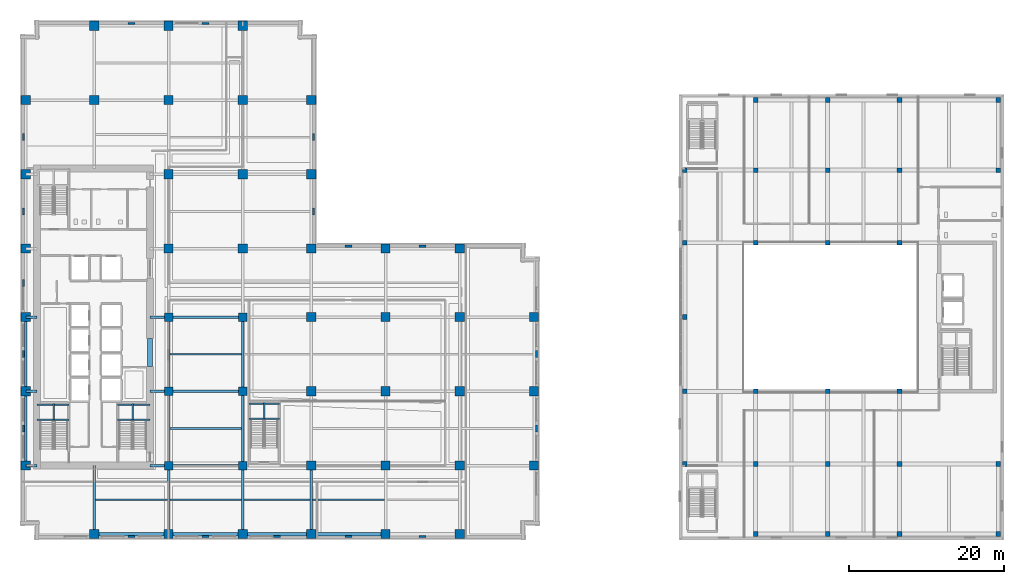
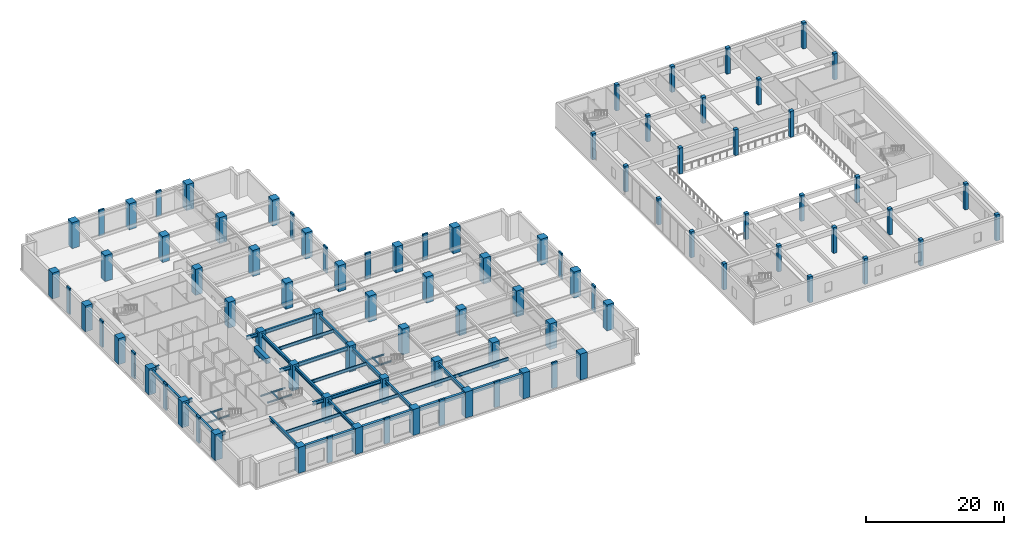
# One storey, part 1 of 24: 90 columns, 39 beams.
"""IFC4 building model written with IfcOpenShell, lengths in metres."""

from ifc_helpers import new_model, si_unit, direction, frame, origin, origin_2d, place, context, subcontext, project, spatial, rectangle, i_section, extrude, material, material_profile, profile_set, type_object, element, save


model = new_model("IFC4")

# Units and contexts
model_context = context("Model", 3, precision=1e-05, world=origin(), true_north=direction((0.0, 1.0)))
body_context = subcontext(model_context, "Body", "Model", "MODEL_VIEW")
ifc_project = project(units=[si_unit("LENGTHUNIT", "METRE"), si_unit("AREAUNIT", "SQUARE_METRE"), si_unit("VOLUMEUNIT", "CUBIC_METRE"), si_unit("PLANEANGLEUNIT", "RADIAN"), si_unit("MASSUNIT", "GRAM", prefix="KILO")], contexts=[model_context])

# Site, building, storey
site_placement = place(None, origin())
site = spatial("IfcSite", under=ifc_project, at=site_placement, CompositionType="ELEMENT")
building_placement = place(site_placement, origin())
building = spatial("IfcBuilding", under=site, at=building_placement, Name="Norrvale University Quadrangle", CompositionType="ELEMENT")
storey_placement = place(building_placement, frame((0.0, 0.0, 15.0)))
storey = spatial("IfcBuildingStorey", under=building, at=storey_placement, Name="L03", CompositionType="ELEMENT", Elevation=15.0)

# Columns
ifc_material_1 = material(Name="Buff Brick Concrete C60/75", Category="concrete")
ifc_material_profile_1 = material_profile(ifc_material_1, rectangle(XDim=0.89990234375, YDim=0.280029296875, at=origin_2d()), Name="Buff Brick Concrete C60/75")
ifc_profile_set_1 = profile_set([ifc_material_profile_1], Name="Buff Brick Concrete C60/75")
column_type_1 = type_object("IfcColumnType", Name="Column Buff Pier 900x280", PredefinedType="PILASTER", material=ifc_profile_set_1)
for number, where, z_axis, x_axis, name in (
    (1, (0.449951171875, 14.39990234375, 0.0), (0.0, 0.0, 1.0), (0.0, 1.0, 0.0), "Exterior Brick Facade Pilaster L03-01"),
    (2, (0.449951171875, 24.0, 0.0), (0.0, 0.0, 1.0), (0.0, 1.0, 0.0), "Exterior Brick Facade Pilaster L03-02"),
    (3, (0.449951171875, 33.199951171875, 0.0), (0.0, 0.0, 1.0), (0.0, 1.0, 0.0), "Exterior Brick Facade Pilaster L03-03"),
    (4, (0.449951171875, 42.449951171875, 0.0), (0.0, 0.0, 1.0), (0.0, 1.0, 0.0), "Exterior Brick Facade Pilaster L03-04"),
    (5, (0.449951171875, 52.050048828125, 0.0), (0.0, 0.0, 1.0), (0.0, 1.0, 0.0), "Exterior Brick Facade Pilaster L03-05"),
    (6, (14.39990234375, 0.449951171875, 0.0), (0.0, 0.0, 1.0), (1.0, 0.0, 0.0), "Exterior Brick Facade Pilaster L03-06"),
    (7, (24.0, 0.449951171875, 0.0), (0.0, 0.0, 1.0), (1.0, 0.0, 0.0), "Exterior Brick Facade Pilaster L03-07"),
    (8, (33.199951171875, 0.449951171875, 0.0), (0.0, 0.0, 1.0), (1.0, 0.0, 0.0), "Exterior Brick Facade Pilaster L03-08"),
    (9, (42.449951171875, 0.449951171875, 0.0), (0.0, 0.0, 1.0), (1.0, 0.0, 0.0), "Exterior Brick Facade Pilaster L03-09"),
    (10, (52.050048828125, 0.449951171875, 0.0), (0.0, 0.0, 1.0), (1.0, 0.0, 0.0), "Exterior Brick Facade Pilaster L03-10"),
    (11, (66.75, 14.39990234375, 0.0), (0.0, 0.0, 1.0), (0.0, 1.0, 0.0), "Exterior Brick Facade Pilaster L03-11"),
    (12, (66.75, 24.0, 0.0), (0.0, 0.0, 1.0), (0.0, 1.0, 0.0), "Exterior Brick Facade Pilaster L03-12"),
    (13, (14.39990234375, 66.75, 0.0), (0.0, 0.0, 1.0), (1.0, 0.0, 0.0), "Exterior Brick Facade Pilaster L03-13"),
    (14, (24.0, 66.75, 0.0), (0.0, 0.0, 1.0), (1.0, 0.0, 0.0), "Exterior Brick Facade Pilaster L03-14"),
    (15, (37.949951171875, 42.449951171875, 0.0), (0.0, 0.0, 1.0), (0.0, 1.0, 0.0), "Exterior Brick Facade Pilaster L03-15"),
    (16, (37.949951171875, 52.050048828125, 0.0), (0.0, 0.0, 1.0), (0.0, 1.0, 0.0), "Exterior Brick Facade Pilaster L03-16"),
    (17, (42.449951171875, 37.949951171875, 0.0), (0.0, 0.0, 1.0), (1.0, 0.0, 0.0), "Exterior Brick Facade Pilaster L03-17"),
    (18, (52.050048828125, 37.949951171875, 0.0), (0.0, 0.0, 1.0), (1.0, 0.0, 0.0), "Exterior Brick Facade Pilaster L03-18"),
):
    element("IfcColumn", number, at=place(storey_placement, frame(where, z_axis=z_axis, x_axis=x_axis)), inside=storey, type_object=column_type_1, Name=name, PredefinedType="PILASTER", context=body_context, shape_type="SweptSolid", body=[
        extrude(rectangle(XDim=0.89990234375, YDim=0.280029296875, at=origin_2d()), origin(), (0.0, 0.0, 1.0), 4.60009765625),
    ])
ifc_material_2 = material(Name="Concrete C60/75", Category="concrete")
ifc_material_profile_2 = material_profile(ifc_material_2, rectangle(XDim=0.60009765625, YDim=0.60009765625, at=origin_2d()), Name="Concrete C60/75")
ifc_profile_set_2 = profile_set([ifc_material_profile_2], Name="Concrete C60/75")
column_type_2 = type_object("IfcColumnType", Name="Column Lib 600x600", PredefinedType="COLUMN", material=ifc_profile_set_2)
for number, where, z_axis, x_axis, name in (
    (19, (85.949951171875, 9.800048828125, 0.0), (0.0, 0.0, 1.0), (1.0, 0.0, 0.0), "Library Column L03-L01"),
    (20, (85.949951171875, 19.199951171875, 0.0), (0.0, 0.0, 1.0), (1.0, 0.0, 0.0), "Library Column L03-L02"),
    (21, (85.949951171875, 28.800048828125, 0.0), (0.0, 0.0, 1.0), (1.0, 0.0, 0.0), "Library Column L03-L03"),
    (22, (85.949951171875, 38.39990234375, 0.0), (0.0, 0.0, 1.0), (1.0, 0.0, 0.0), "Library Column L03-L04"),
    (23, (85.949951171875, 47.800048828125, 0.0), (0.0, 0.0, 1.0), (1.0, 0.0, 0.0), "Library Column L03-L05"),
    (24, (95.10009765625, 0.75, 0.0), (0.0, 0.0, 1.0), (1.0, 0.0, 0.0), "Library Column L03-L06"),
    (25, (95.10009765625, 9.800048828125, 0.0), (0.0, 0.0, 1.0), (1.0, 0.0, 0.0), "Library Column L03-L07"),
    (26, (95.10009765625, 19.199951171875, 0.0), (0.0, 0.0, 1.0), (1.0, 0.0, 0.0), "Library Column L03-L08"),
    (27, (95.10009765625, 38.39990234375, 0.0), (0.0, 0.0, 1.0), (1.0, 0.0, 0.0), "Library Column L03-L09"),
    (28, (95.10009765625, 47.800048828125, 0.0), (0.0, 0.0, 1.0), (1.0, 0.0, 0.0), "Library Column L03-L10"),
    (29, (95.10009765625, 56.85009765625, 0.0), (0.0, 0.0, 1.0), (1.0, 0.0, 0.0), "Library Column L03-L11"),
    (30, (104.39990234375, 0.75, 0.0), (0.0, 0.0, 1.0), (1.0, 0.0, 0.0), "Library Column L03-L12"),
    (31, (104.39990234375, 9.800048828125, 0.0), (0.0, 0.0, 1.0), (1.0, 0.0, 0.0), "Library Column L03-L13"),
    (32, (104.39990234375, 19.199951171875, 0.0), (0.0, 0.0, 1.0), (1.0, 0.0, 0.0), "Library Column L03-L14"),
    (33, (104.39990234375, 38.39990234375, 0.0), (0.0, 0.0, 1.0), (1.0, 0.0, 0.0), "Library Column L03-L15"),
    (34, (104.39990234375, 47.800048828125, 0.0), (0.0, 0.0, 1.0), (1.0, 0.0, 0.0), "Library Column L03-L16"),
    (35, (104.39990234375, 56.85009765625, 0.0), (0.0, 0.0, 1.0), (1.0, 0.0, 0.0), "Library Column L03-L17"),
    (36, (113.699951171875, 0.75, 0.0), (0.0, 0.0, 1.0), (1.0, 0.0, 0.0), "Library Column L03-L18"),
    (37, (113.699951171875, 9.800048828125, 0.0), (0.0, 0.0, 1.0), (1.0, 0.0, 0.0), "Library Column L03-L19"),
    (38, (113.699951171875, 19.199951171875, 0.0), (0.0, 0.0, 1.0), (1.0, 0.0, 0.0), "Library Column L03-L20"),
    (39, (113.699951171875, 38.39990234375, 0.0), (0.0, 0.0, 1.0), (1.0, 0.0, 0.0), "Library Column L03-L21"),
    (40, (113.699951171875, 47.800048828125, 0.0), (0.0, 0.0, 1.0), (1.0, 0.0, 0.0), "Library Column L03-L22"),
    (41, (113.699951171875, 56.85009765625, 0.0), (0.0, 0.0, 1.0), (1.0, 0.0, 0.0), "Library Column L03-L23"),
    (42, (126.449951171875, 0.75, 0.0), (0.0, 0.0, 1.0), (1.0, 0.0, 0.0), "Library Column L03-L24"),
    (43, (126.449951171875, 9.800048828125, 0.0), (0.0, 0.0, 1.0), (1.0, 0.0, 0.0), "Library Column L03-L25"),
    (44, (126.449951171875, 47.800048828125, 0.0), (0.0, 0.0, 1.0), (1.0, 0.0, 0.0), "Library Column L03-L26"),
    (45, (126.449951171875, 56.85009765625, 0.0), (0.0, 0.0, 1.0), (1.0, 0.0, 0.0), "Library Column L03-L27"),
):
    element("IfcColumn", number, at=place(storey_placement, frame(where, z_axis=z_axis, x_axis=x_axis)), inside=storey, type_object=column_type_2, Name=name, PredefinedType="COLUMN", context=body_context, shape_type="SweptSolid", body=[
        extrude(rectangle(XDim=0.60009765625, YDim=0.60009765625, at=origin_2d()), origin(), (0.0, 0.0, 1.0), 4.60009765625),
    ])
ifc_material_3 = material(Name="Concrete C80/95", Category="concrete")
ifc_material_profile_3 = material_profile(ifc_material_3, rectangle(XDim=1.10009765625, YDim=1.10009765625, at=origin_2d()), Name="Concrete C80/95")
ifc_profile_set_3 = profile_set([ifc_material_profile_3], Name="Concrete C80/95")
column_type_3 = type_object("IfcColumnType", Name="Column Tower Z1 1100x1100", PredefinedType="COLUMN", material=ifc_profile_set_3)
for number, where, z_axis, x_axis, name in (
    (46, (19.199951171875, 9.60009765625, 0.0), (0.0, 0.0, 1.0), (1.0, 0.0, 0.0), "Tower Column L03-T11"),
    (47, (19.199951171875, 19.199951171875, 0.0), (0.0, 0.0, 1.0), (1.0, 0.0, 0.0), "Tower Column L03-T12"),
    (48, (19.199951171875, 28.800048828125, 0.0), (0.0, 0.0, 1.0), (1.0, 0.0, 0.0), "Tower Column L03-T13"),
    (49, (28.800048828125, 9.60009765625, 0.0), (0.0, 0.0, 1.0), (1.0, 0.0, 0.0), "Tower Column L03-T19"),
    (50, (28.800048828125, 19.199951171875, 0.0), (0.0, 0.0, 1.0), (1.0, 0.0, 0.0), "Tower Column L03-T20"),
    (51, (28.800048828125, 28.800048828125, 0.0), (0.0, 0.0, 1.0), (1.0, 0.0, 0.0), "Tower Column L03-T21"),
):
    element("IfcColumn", number, at=place(storey_placement, frame(where, z_axis=z_axis, x_axis=x_axis)), inside=storey, type_object=column_type_3, Name=name, PredefinedType="COLUMN", context=body_context, shape_type="SweptSolid", body=[
        extrude(rectangle(XDim=1.10009765625, YDim=1.10009765625, at=origin_2d()), origin(), (0.0, 0.0, 1.0), 4.60009765625),
    ])
ifc_material_profile_4 = material_profile(ifc_material_3, rectangle(XDim=1.199951171875, YDim=1.199951171875, at=origin_2d()), Name="Concrete C80/95")
ifc_profile_set_4 = profile_set([ifc_material_profile_4], Name="Concrete C80/95")
column_type_4 = type_object("IfcColumnType", Name="Column Tower Z1 1200x1200", PredefinedType="COLUMN", material=ifc_profile_set_4)
for number, where, z_axis, x_axis, name in (
    (52, (0.75, 9.60009765625, 0.0), (0.0, 0.0, 1.0), (1.0, 0.0, 0.0), "Tower Column L03-T01"),
    (53, (0.75, 19.199951171875, 0.0), (0.0, 0.0, 1.0), (1.0, 0.0, 0.0), "Tower Column L03-T02"),
    (54, (0.75, 28.800048828125, 0.0), (0.0, 0.0, 1.0), (1.0, 0.0, 0.0), "Tower Column L03-T03"),
    (55, (0.75, 37.64990234375, 0.0), (0.0, 0.0, 1.0), (1.0, 0.0, 0.0), "Tower Column L03-T04"),
    (56, (0.75, 47.25, 0.0), (0.0, 0.0, 1.0), (1.0, 0.0, 0.0), "Tower Column L03-T05"),
    (57, (0.75, 56.85009765625, 0.0), (0.0, 0.0, 1.0), (1.0, 0.0, 0.0), "Tower Column L03-T06"),
    (58, (9.60009765625, 0.75, 0.0), (0.0, 0.0, 1.0), (1.0, 0.0, 0.0), "Tower Column L03-T07"),
    (59, (9.60009765625, 56.85009765625, 0.0), (0.0, 0.0, 1.0), (1.0, 0.0, 0.0), "Tower Column L03-T08"),
    (60, (9.60009765625, 66.449951171875, 0.0), (0.0, 0.0, 1.0), (1.0, 0.0, 0.0), "Tower Column L03-T09"),
    (61, (19.199951171875, 0.75, 0.0), (0.0, 0.0, 1.0), (1.0, 0.0, 0.0), "Tower Column L03-T10"),
    (62, (19.199951171875, 37.64990234375, 0.0), (0.0, 0.0, 1.0), (1.0, 0.0, 0.0), "Tower Column L03-T14"),
    (63, (19.199951171875, 47.25, 0.0), (0.0, 0.0, 1.0), (1.0, 0.0, 0.0), "Tower Column L03-T15"),
    (64, (19.199951171875, 56.85009765625, 0.0), (0.0, 0.0, 1.0), (1.0, 0.0, 0.0), "Tower Column L03-T16"),
    (65, (19.199951171875, 66.449951171875, 0.0), (0.0, 0.0, 1.0), (1.0, 0.0, 0.0), "Tower Column L03-T17"),
    (66, (28.800048828125, 0.75, 0.0), (0.0, 0.0, 1.0), (1.0, 0.0, 0.0), "Tower Column L03-T18"),
    (67, (28.800048828125, 37.64990234375, 0.0), (0.0, 0.0, 1.0), (1.0, 0.0, 0.0), "Tower Column L03-T22"),
    (68, (28.800048828125, 47.25, 0.0), (0.0, 0.0, 1.0), (1.0, 0.0, 0.0), "Tower Column L03-T23"),
    (69, (28.800048828125, 56.85009765625, 0.0), (0.0, 0.0, 1.0), (1.0, 0.0, 0.0), "Tower Column L03-T24"),
    (70, (28.800048828125, 66.449951171875, 0.0), (0.0, 0.0, 1.0), (1.0, 0.0, 0.0), "Tower Column L03-T25"),
    (71, (37.64990234375, 0.75, 0.0), (0.0, 0.0, 1.0), (1.0, 0.0, 0.0), "Tower Column L03-T26"),
    (72, (37.64990234375, 9.60009765625, 0.0), (0.0, 0.0, 1.0), (1.0, 0.0, 0.0), "Tower Column L03-T27"),
    (73, (37.64990234375, 19.199951171875, 0.0), (0.0, 0.0, 1.0), (1.0, 0.0, 0.0), "Tower Column L03-T28"),
    (74, (37.64990234375, 28.800048828125, 0.0), (0.0, 0.0, 1.0), (1.0, 0.0, 0.0), "Tower Column L03-T29"),
    (75, (37.64990234375, 37.64990234375, 0.0), (0.0, 0.0, 1.0), (1.0, 0.0, 0.0), "Tower Column L03-T30"),
    (76, (37.64990234375, 47.25, 0.0), (0.0, 0.0, 1.0), (1.0, 0.0, 0.0), "Tower Column L03-T31"),
    (77, (37.64990234375, 56.85009765625, 0.0), (0.0, 0.0, 1.0), (1.0, 0.0, 0.0), "Tower Column L03-T32"),
    (78, (47.25, 0.75, 0.0), (0.0, 0.0, 1.0), (1.0, 0.0, 0.0), "Tower Column L03-T33"),
    (79, (47.25, 9.60009765625, 0.0), (0.0, 0.0, 1.0), (1.0, 0.0, 0.0), "Tower Column L03-T34"),
    (80, (47.25, 19.199951171875, 0.0), (0.0, 0.0, 1.0), (1.0, 0.0, 0.0), "Tower Column L03-T35"),
    (81, (47.25, 28.800048828125, 0.0), (0.0, 0.0, 1.0), (1.0, 0.0, 0.0), "Tower Column L03-T36"),
    (82, (47.25, 37.64990234375, 0.0), (0.0, 0.0, 1.0), (1.0, 0.0, 0.0), "Tower Column L03-T37"),
    (83, (56.85009765625, 0.75, 0.0), (0.0, 0.0, 1.0), (1.0, 0.0, 0.0), "Tower Column L03-T38"),
    (84, (56.85009765625, 9.60009765625, 0.0), (0.0, 0.0, 1.0), (1.0, 0.0, 0.0), "Tower Column L03-T39"),
    (85, (56.85009765625, 19.199951171875, 0.0), (0.0, 0.0, 1.0), (1.0, 0.0, 0.0), "Tower Column L03-T40"),
    (86, (56.85009765625, 28.800048828125, 0.0), (0.0, 0.0, 1.0), (1.0, 0.0, 0.0), "Tower Column L03-T41"),
    (87, (56.85009765625, 37.64990234375, 0.0), (0.0, 0.0, 1.0), (1.0, 0.0, 0.0), "Tower Column L03-T42"),
    (88, (66.449951171875, 9.60009765625, 0.0), (0.0, 0.0, 1.0), (1.0, 0.0, 0.0), "Tower Column L03-T43"),
    (89, (66.449951171875, 19.199951171875, 0.0), (0.0, 0.0, 1.0), (1.0, 0.0, 0.0), "Tower Column L03-T44"),
    (90, (66.449951171875, 28.800048828125, 0.0), (0.0, 0.0, 1.0), (1.0, 0.0, 0.0), "Tower Column L03-T45"),
):
    element("IfcColumn", number, at=place(storey_placement, frame(where, z_axis=z_axis, x_axis=x_axis)), inside=storey, type_object=column_type_4, Name=name, PredefinedType="COLUMN", context=body_context, shape_type="SweptSolid", body=[
        extrude(rectangle(XDim=1.199951171875, YDim=1.199951171875, at=origin_2d()), origin(), (0.0, 0.0, 1.0), 4.60009765625),
    ])

# Beams
ifc_material_4 = material(Name="Steel 350W", Category="steel")
ifc_material_profile_5 = material_profile(ifc_material_4, i_section(OverallWidth=0.324951171875, OverallDepth=0.615966796875, WebThickness=0.013916015625, FlangeThickness=0.021484375, FilletRadius=0.01611328125, at=origin_2d()), Name="Steel 350W")
ifc_profile_set_5 = profile_set([ifc_material_profile_5], Name="Steel 350W")
beam_type_1 = type_object("IfcBeamType", Name="Beam Belt W610x174", PredefinedType="BEAM", material=ifc_profile_set_5)
for number, where, z_axis, x_axis, name in (
    (91, (19.199951171875, 9.60009765625, 3.951904296875), (1.0, 0.0, 0.0), (0.0, 1.0, 0.0), "Beam Belt W610x174 BM-L03-GX006"),
    (92, (19.199951171875, 19.199951171875, 3.951904296875), (1.0, 0.0, 0.0), (0.0, 1.0, 0.0), "Beam Belt W610x174 BM-L03-GX011"),
    (93, (19.199951171875, 28.800048828125, 3.951904296875), (1.0, 0.0, 0.0), (0.0, 1.0, 0.0), "Beam Belt W610x174 BM-L03-GX016"),
):
    element("IfcBeam", number, at=place(storey_placement, frame(where, z_axis=z_axis, x_axis=x_axis)), inside=storey, type_object=beam_type_1, Name=name, PredefinedType="BEAM", context=body_context, shape_type="SweptSolid", body=[
        extrude(i_section(OverallWidth=0.324951171875, OverallDepth=0.615966796875, WebThickness=0.013916015625, FlangeThickness=0.021484375, FilletRadius=0.01611328125, at=origin_2d()), origin(), (0.0, 0.0, 1.0), 9.60009765625),
    ])
beam_1_placement = place(storey_placement, frame((0.75, 9.60009765625, 3.951904296875), z_axis=(0.0, 1.0, 0.0), x_axis=(-1.0, 0.0, 0.0)))
element("IfcBeam", 94, at=beam_1_placement, inside=storey, type_object=beam_type_1, Name="Beam Belt W610x174 BM-L03-GY033", PredefinedType="BEAM", context=body_context, shape_type="SweptSolid", body=[
    extrude(i_section(OverallWidth=0.324951171875, OverallDepth=0.615966796875, WebThickness=0.013916015625, FlangeThickness=0.021484375, FilletRadius=0.01611328125, at=origin_2d()), origin(), (0.0, 0.0, 1.0), 9.599853515625),
])
beam_2_placement = place(storey_placement, frame((0.75, 19.199951171875, 3.951904296875), z_axis=(0.0, 1.0, 0.0), x_axis=(-1.0, 0.0, 0.0)))
element("IfcBeam", 95, at=beam_2_placement, inside=storey, type_object=beam_type_1, Name="Beam Belt W610x174 BM-L03-GY034", PredefinedType="BEAM", context=body_context, shape_type="SweptSolid", body=[
    extrude(i_section(OverallWidth=0.324951171875, OverallDepth=0.615966796875, WebThickness=0.013916015625, FlangeThickness=0.021484375, FilletRadius=0.01611328125, at=origin_2d()), origin(), (0.0, 0.0, 1.0), 9.60009765625),
])
beam_3_placement = place(storey_placement, frame((19.199951171875, 0.75, 3.951904296875), z_axis=(0.0, 1.0, 0.0), x_axis=(-1.0, 0.0, 0.0)))
element("IfcBeam", 96, at=beam_3_placement, inside=storey, type_object=beam_type_1, Name="Beam Belt W610x174 BM-L03-GY039", PredefinedType="BEAM", context=body_context, shape_type="SweptSolid", body=[
    extrude(i_section(OverallWidth=0.324951171875, OverallDepth=0.615966796875, WebThickness=0.013916015625, FlangeThickness=0.021484375, FilletRadius=0.01611328125, at=origin_2d()), origin(), (0.0, 0.0, 1.0), 8.85009765625),
])
beam_4_placement = place(storey_placement, frame((19.199951171875, 9.60009765625, 3.951904296875), z_axis=(0.0, 1.0, 0.0), x_axis=(-1.0, 0.0, 0.0)))
element("IfcBeam", 97, at=beam_4_placement, inside=storey, type_object=beam_type_1, Name="Beam Belt W610x174 BM-L03-GY040", PredefinedType="BEAM", context=body_context, shape_type="SweptSolid", body=[
    extrude(i_section(OverallWidth=0.324951171875, OverallDepth=0.615966796875, WebThickness=0.013916015625, FlangeThickness=0.021484375, FilletRadius=0.01611328125, at=origin_2d()), origin(), (0.0, 0.0, 1.0), 9.599853515625),
])
beam_5_placement = place(storey_placement, frame((19.199951171875, 19.199951171875, 3.951904296875), z_axis=(0.0, 1.0, 0.0), x_axis=(-1.0, 0.0, 0.0)))
element("IfcBeam", 98, at=beam_5_placement, inside=storey, type_object=beam_type_1, Name="Beam Belt W610x174 BM-L03-GY041", PredefinedType="BEAM", context=body_context, shape_type="SweptSolid", body=[
    extrude(i_section(OverallWidth=0.324951171875, OverallDepth=0.615966796875, WebThickness=0.013916015625, FlangeThickness=0.021484375, FilletRadius=0.01611328125, at=origin_2d()), origin(), (0.0, 0.0, 1.0), 9.60009765625),
])
beam_6_placement = place(storey_placement, frame((28.800048828125, 0.75, 3.951904296875), z_axis=(0.0, 1.0, 0.0), x_axis=(-1.0, 0.0, 0.0)))
element("IfcBeam", 99, at=beam_6_placement, inside=storey, type_object=beam_type_1, Name="Beam Belt W610x174 BM-L03-GY046", PredefinedType="BEAM", context=body_context, shape_type="SweptSolid", body=[
    extrude(i_section(OverallWidth=0.324951171875, OverallDepth=0.615966796875, WebThickness=0.013916015625, FlangeThickness=0.021484375, FilletRadius=0.01611328125, at=origin_2d()), origin(), (0.0, 0.0, 1.0), 8.85009765625),
])
beam_7_placement = place(storey_placement, frame((28.800048828125, 9.60009765625, 3.951904296875), z_axis=(0.0, 1.0, 0.0), x_axis=(-1.0, 0.0, 0.0)))
element("IfcBeam", 100, at=beam_7_placement, inside=storey, type_object=beam_type_1, Name="Beam Belt W610x174 BM-L03-GY047", PredefinedType="BEAM", context=body_context, shape_type="SweptSolid", body=[
    extrude(i_section(OverallWidth=0.324951171875, OverallDepth=0.615966796875, WebThickness=0.013916015625, FlangeThickness=0.021484375, FilletRadius=0.01611328125, at=origin_2d()), origin(), (0.0, 0.0, 1.0), 9.599853515625),
])
beam_8_placement = place(storey_placement, frame((28.800048828125, 19.199951171875, 3.951904296875), z_axis=(0.0, 1.0, 0.0), x_axis=(-1.0, 0.0, 0.0)))
element("IfcBeam", 101, at=beam_8_placement, inside=storey, type_object=beam_type_1, Name="Beam Belt W610x174 BM-L03-GY048", PredefinedType="BEAM", context=body_context, shape_type="SweptSolid", body=[
    extrude(i_section(OverallWidth=0.324951171875, OverallDepth=0.615966796875, WebThickness=0.013916015625, FlangeThickness=0.021484375, FilletRadius=0.01611328125, at=origin_2d()), origin(), (0.0, 0.0, 1.0), 9.60009765625),
])
beam_9_placement = place(storey_placement, frame((37.64990234375, 0.75, 3.951904296875), z_axis=(0.0, 1.0, 0.0), x_axis=(-1.0, 0.0, 0.0)))
element("IfcBeam", 102, at=beam_9_placement, inside=storey, type_object=beam_type_1, Name="Beam Belt W610x174 BM-L03-GY053", PredefinedType="BEAM", context=body_context, shape_type="SweptSolid", body=[
    extrude(i_section(OverallWidth=0.324951171875, OverallDepth=0.615966796875, WebThickness=0.013916015625, FlangeThickness=0.021484375, FilletRadius=0.01611328125, at=origin_2d()), origin(), (0.0, 0.0, 1.0), 8.85009765625),
])
beam_10_placement = place(storey_placement, frame((0.75, 9.60009765625, 3.951904296875), z_axis=(1.0, 0.0, 0.0), x_axis=(0.0, 1.0, 0.0)))
element("IfcBeam", 103, at=beam_10_placement, inside=storey, type_object=beam_type_1, Name="Beam Belt W610x174 BM-L03-GCW069", PredefinedType="BEAM", context=body_context, shape_type="SweptSolid", body=[
    extrude(i_section(OverallWidth=0.324951171875, OverallDepth=0.615966796875, WebThickness=0.013916015625, FlangeThickness=0.021484375, FilletRadius=0.01611328125, at=origin_2d()), origin(), (0.0, 0.0, 1.0), 1.449951171875),
])
beam_11_placement = place(storey_placement, frame((16.800048828125, 9.60009765625, 3.951904296875), z_axis=(1.0, 0.0, 0.0), x_axis=(0.0, 1.0, 0.0)))
element("IfcBeam", 104, at=beam_11_placement, inside=storey, type_object=beam_type_1, Name="Beam Belt W610x174 BM-L03-GCE070", PredefinedType="BEAM", context=body_context, shape_type="SweptSolid", body=[
    extrude(i_section(OverallWidth=0.324951171875, OverallDepth=0.615966796875, WebThickness=0.013916015625, FlangeThickness=0.021484375, FilletRadius=0.01611328125, at=origin_2d()), origin(), (0.0, 0.0, 1.0), 2.39990234375),
])
beam_12_placement = place(storey_placement, frame((0.75, 19.199951171875, 3.951904296875), z_axis=(1.0, 0.0, 0.0), x_axis=(0.0, 1.0, 0.0)))
element("IfcBeam", 105, at=beam_12_placement, inside=storey, type_object=beam_type_1, Name="Beam Belt W610x174 BM-L03-GCW071", PredefinedType="BEAM", context=body_context, shape_type="SweptSolid", body=[
    extrude(i_section(OverallWidth=0.324951171875, OverallDepth=0.615966796875, WebThickness=0.013916015625, FlangeThickness=0.021484375, FilletRadius=0.01611328125, at=origin_2d()), origin(), (0.0, 0.0, 1.0), 1.449951171875),
])
beam_13_placement = place(storey_placement, frame((16.800048828125, 19.199951171875, 3.951904296875), z_axis=(1.0, 0.0, 0.0), x_axis=(0.0, 1.0, 0.0)))
element("IfcBeam", 106, at=beam_13_placement, inside=storey, type_object=beam_type_1, Name="Beam Belt W610x174 BM-L03-GCE072", PredefinedType="BEAM", context=body_context, shape_type="SweptSolid", body=[
    extrude(i_section(OverallWidth=0.324951171875, OverallDepth=0.615966796875, WebThickness=0.013916015625, FlangeThickness=0.021484375, FilletRadius=0.01611328125, at=origin_2d()), origin(), (0.0, 0.0, 1.0), 2.39990234375),
])
beam_14_placement = place(storey_placement, frame((0.75, 28.800048828125, 3.951904296875), z_axis=(1.0, 0.0, 0.0), x_axis=(0.0, 1.0, 0.0)))
element("IfcBeam", 107, at=beam_14_placement, inside=storey, type_object=beam_type_1, Name="Beam Belt W610x174 BM-L03-GCW073", PredefinedType="BEAM", context=body_context, shape_type="SweptSolid", body=[
    extrude(i_section(OverallWidth=0.324951171875, OverallDepth=0.615966796875, WebThickness=0.013916015625, FlangeThickness=0.021484375, FilletRadius=0.01611328125, at=origin_2d()), origin(), (0.0, 0.0, 1.0), 1.449951171875),
])
beam_15_placement = place(storey_placement, frame((16.800048828125, 28.800048828125, 3.951904296875), z_axis=(1.0, 0.0, 0.0), x_axis=(0.0, 1.0, 0.0)))
element("IfcBeam", 108, at=beam_15_placement, inside=storey, type_object=beam_type_1, Name="Beam Belt W610x174 BM-L03-GCE074", PredefinedType="BEAM", context=body_context, shape_type="SweptSolid", body=[
    extrude(i_section(OverallWidth=0.324951171875, OverallDepth=0.615966796875, WebThickness=0.013916015625, FlangeThickness=0.021484375, FilletRadius=0.01611328125, at=origin_2d()), origin(), (0.0, 0.0, 1.0), 2.39990234375),
])
beam_16_placement = place(storey_placement, frame((9.60009765625, 0.75, 3.951904296875), z_axis=(0.0, 1.0, 0.0), x_axis=(-1.0, 0.0, 0.0)))
element("IfcBeam", 109, at=beam_16_placement, inside=storey, type_object=beam_type_1, Name="Beam Belt W610x174 BM-L03-GCS102", PredefinedType="BEAM", context=body_context, shape_type="SweptSolid", body=[
    extrude(i_section(OverallWidth=0.324951171875, OverallDepth=0.615966796875, WebThickness=0.013916015625, FlangeThickness=0.021484375, FilletRadius=0.01611328125, at=origin_2d()), origin(), (0.0, 0.0, 1.0), 8.85009765625),
])
ifc_material_profile_6 = material_profile(ifc_material_3, rectangle(XDim=0.699951171875, YDim=0.949951171875, at=origin_2d()), Name="Concrete C80/95")
ifc_profile_set_6 = profile_set([ifc_material_profile_6], Name="Concrete C80/95")
beam_type_2 = type_object("IfcBeamType", Name="Beam Core Link 700x950", PredefinedType="LINTEL", material=ifc_profile_set_6)
beam_17_placement = place(storey_placement, frame((16.800048828125, 22.39990234375, 3.784912109375), z_axis=(0.0, 1.0, 0.0), x_axis=(-1.0, 0.0, 0.0)))
element("IfcBeam", 110, at=beam_17_placement, inside=storey, type_object=beam_type_2, Name="Core Coupling Lintel Beam L03-1", PredefinedType="LINTEL", context=body_context, shape_type="SweptSolid", body=[
    extrude(rectangle(XDim=0.699951171875, YDim=0.949951171875, at=origin_2d()), origin(), (0.0, 0.0, 1.0), 3.60009765625),
])
ifc_material_profile_7 = material_profile(ifc_material_2, rectangle(XDim=0.449951171875, YDim=0.64990234375, at=origin_2d()), Name="Concrete C60/75")
ifc_profile_set_7 = profile_set([ifc_material_profile_7], Name="Concrete C60/75")
beam_type_3 = type_object("IfcBeamType", Name="Beam Edge 450x650", PredefinedType="BEAM", material=ifc_profile_set_7)
beam_18_placement = place(storey_placement, frame((9.60009765625, 0.75, 3.93505859375), z_axis=(1.0, 0.0, 0.0), x_axis=(0.0, 1.0, 0.0)))
element("IfcBeam", 111, at=beam_18_placement, inside=storey, type_object=beam_type_3, Name="Beam Edge 450x650 BM-L03-GX001", PredefinedType="BEAM", context=body_context, shape_type="SweptSolid", body=[
    extrude(rectangle(XDim=0.449951171875, YDim=0.64990234375, at=origin_2d()), origin(), (0.0, 0.0, 1.0), 9.599853515625),
])
beam_19_placement = place(storey_placement, frame((19.199951171875, 0.75, 3.93505859375), z_axis=(1.0, 0.0, 0.0), x_axis=(0.0, 1.0, 0.0)))
element("IfcBeam", 112, at=beam_19_placement, inside=storey, type_object=beam_type_3, Name="Beam Edge 450x650 BM-L03-GX002", PredefinedType="BEAM", context=body_context, shape_type="SweptSolid", body=[
    extrude(rectangle(XDim=0.449951171875, YDim=0.64990234375, at=origin_2d()), origin(), (0.0, 0.0, 1.0), 9.60009765625),
])
beam_20_placement = place(storey_placement, frame((28.800048828125, 0.75, 3.93505859375), z_axis=(1.0, 0.0, 0.0), x_axis=(0.0, 1.0, 0.0)))
element("IfcBeam", 113, at=beam_20_placement, inside=storey, type_object=beam_type_3, Name="Beam Edge 450x650 BM-L03-GX003", PredefinedType="BEAM", context=body_context, shape_type="SweptSolid", body=[
    extrude(rectangle(XDim=0.449951171875, YDim=0.64990234375, at=origin_2d()), origin(), (0.0, 0.0, 1.0), 8.849853515625),
])
beam_21_placement = place(storey_placement, frame((37.64990234375, 0.75, 3.93505859375), z_axis=(1.0, 0.0, 0.0), x_axis=(0.0, 1.0, 0.0)))
element("IfcBeam", 114, at=beam_21_placement, inside=storey, type_object=beam_type_3, Name="Beam Edge 450x650 BM-L03-GX004", PredefinedType="BEAM", context=body_context, shape_type="SweptSolid", body=[
    extrude(rectangle(XDim=0.449951171875, YDim=0.64990234375, at=origin_2d()), origin(), (0.0, 0.0, 1.0), 9.60009765625),
])
ifc_material_profile_8 = material_profile(ifc_material_4, i_section(OverallWidth=0.2119140625, OverallDepth=0.5439453125, WebThickness=0.01318359375, FlangeThickness=0.021240234375, FilletRadius=0.013916015625, at=origin_2d()), Name="Steel 350W")
ifc_profile_set_8 = profile_set([ifc_material_profile_8], Name="Steel 350W")
beam_type_4 = type_object("IfcBeamType", Name="Beam Floor W530x123", PredefinedType="BEAM", material=ifc_profile_set_8)
for number, where, z_axis, x_axis, name in (
    (115, (19.362548828125, 5.175048828125, 3.988037109375), (1.0, 0.0, 0.0), (0.0, 1.0, 0.0), "Beam Floor W530x123 BM-L03-J080"),
    (116, (19.362548828125, 14.39990234375, 3.988037109375), (1.0, 0.0, 0.0), (0.0, 1.0, 0.0), "Beam Floor W530x123 BM-L03-J081"),
    (117, (19.362548828125, 24.0, 3.988037109375), (1.0, 0.0, 0.0), (0.0, 1.0, 0.0), "Beam Floor W530x123 BM-L03-J082"),
):
    element("IfcBeam", number, at=place(storey_placement, frame(where, z_axis=z_axis, x_axis=x_axis)), inside=storey, type_object=beam_type_4, Name=name, PredefinedType="BEAM", context=body_context, shape_type="SweptSolid", body=[
        extrude(i_section(OverallWidth=0.2119140625, OverallDepth=0.5439453125, WebThickness=0.01318359375, FlangeThickness=0.021240234375, FilletRadius=0.013916015625, at=origin_2d()), origin(), (0.0, 0.0, 1.0), 9.27490234375),
    ])
beam_22_placement = place(storey_placement, frame((28.96240234375, 5.175048828125, 3.988037109375), z_axis=(1.0, 0.0, 0.0), x_axis=(0.0, 1.0, 0.0)))
element("IfcBeam", 118, at=beam_22_placement, inside=storey, type_object=beam_type_4, Name="Beam Floor W530x123 BM-L03-J087", PredefinedType="BEAM", context=body_context, shape_type="SweptSolid", body=[
    extrude(i_section(OverallWidth=0.2119140625, OverallDepth=0.5439453125, WebThickness=0.01318359375, FlangeThickness=0.021240234375, FilletRadius=0.013916015625, at=origin_2d()), origin(), (0.0, 0.0, 1.0), 8.525146484375),
])
beam_23_placement = place(storey_placement, frame((37.8125, 5.175048828125, 3.988037109375), z_axis=(1.0, 0.0, 0.0), x_axis=(0.0, 1.0, 0.0)))
element("IfcBeam", 119, at=beam_23_placement, inside=storey, type_object=beam_type_4, Name="Beam Floor W530x123 BM-L03-J092", PredefinedType="BEAM", context=body_context, shape_type="SweptSolid", body=[
    extrude(i_section(OverallWidth=0.2119140625, OverallDepth=0.5439453125, WebThickness=0.01318359375, FlangeThickness=0.021240234375, FilletRadius=0.013916015625, at=origin_2d()), origin(), (0.0, 0.0, 1.0), 9.27490234375),
])
beam_24_placement = place(storey_placement, frame((9.762451171875, 5.199951171875, 3.988037109375), z_axis=(1.0, 0.0, 0.0), x_axis=(0.0, 1.0, 0.0)))
element("IfcBeam", 120, at=beam_24_placement, inside=storey, type_object=beam_type_4, Name="Beam Floor W530x123 BM-L03-JCS103", PredefinedType="BEAM", context=body_context, shape_type="SweptSolid", body=[
    extrude(i_section(OverallWidth=0.2119140625, OverallDepth=0.5439453125, WebThickness=0.01318359375, FlangeThickness=0.021240234375, FilletRadius=0.013916015625, at=origin_2d()), origin(), (0.0, 0.0, 1.0), 9.275146484375),
])
ifc_material_profile_9 = material_profile(ifc_material_4, i_section(OverallWidth=0.201904296875, OverallDepth=0.2470703125, WebThickness=0.00732421875, FlangeThickness=0.010986328125, FilletRadius=0.011962890625, at=origin_2d()), Name="Steel 350W")
ifc_profile_set_9 = profile_set([ifc_material_profile_9], Name="Steel 350W")
beam_type_5 = type_object("IfcBeamType", Name="Beam Stair W250x49", PredefinedType="BEAM", material=ifc_profile_set_9)
for number, where, z_axis, x_axis, name in (
    (121, (2.199951171875, 15.510009765625, 1.9765625), (1.0, 0.0, 0.0), (0.0, 1.0, 0.0), "Stair Mid-Landing Front Beam ST-01 L03"),
    (122, (2.199951171875, 17.469970703125, 1.9765625), (1.0, 0.0, 0.0), (0.0, 1.0, 0.0), "Stair Mid-Landing Rear Beam ST-01 L03"),
):
    element("IfcBeam", number, at=place(storey_placement, frame(where, z_axis=z_axis, x_axis=x_axis)), inside=storey, type_object=beam_type_5, Name=name, PredefinedType="BEAM", context=body_context, shape_type="SweptSolid", body=[
        extrude(i_section(OverallWidth=0.201904296875, OverallDepth=0.2470703125, WebThickness=0.00732421875, FlangeThickness=0.010986328125, FilletRadius=0.011962890625, at=origin_2d()), origin(), (0.0, 0.0, 1.0), 4.14013671875),
    ])
for number, where, z_axis, x_axis, name in (
    (123, (12.610107421875, 15.510009765625, 1.9765625), (1.0, 0.0, 0.0), (0.0, 1.0, 0.0), "Stair Mid-Landing Front Beam ST-03 L03"),
    (124, (12.610107421875, 17.469970703125, 1.9765625), (1.0, 0.0, 0.0), (0.0, 1.0, 0.0), "Stair Mid-Landing Rear Beam ST-03 L03"),
):
    element("IfcBeam", number, at=place(storey_placement, frame(where, z_axis=z_axis, x_axis=x_axis)), inside=storey, type_object=beam_type_5, Name=name, PredefinedType="BEAM", context=body_context, shape_type="SweptSolid", body=[
        extrude(i_section(OverallWidth=0.201904296875, OverallDepth=0.2470703125, WebThickness=0.00732421875, FlangeThickness=0.010986328125, FilletRadius=0.011962890625, at=origin_2d()), origin(), (0.0, 0.0, 1.0), 4.18994140625),
    ])
for number, where, z_axis, x_axis, name in (
    (125, (29.610107421875, 15.659912109375, 1.9765625), (1.0, 0.0, 0.0), (0.0, 1.0, 0.0), "Stair Mid-Landing Front Beam ST-04 L03"),
    (126, (29.610107421875, 17.6201171875, 1.9765625), (1.0, 0.0, 0.0), (0.0, 1.0, 0.0), "Stair Mid-Landing Rear Beam ST-04 L03"),
):
    element("IfcBeam", number, at=place(storey_placement, frame(where, z_axis=z_axis, x_axis=x_axis)), inside=storey, type_object=beam_type_5, Name=name, PredefinedType="BEAM", context=body_context, shape_type="SweptSolid", body=[
        extrude(i_section(OverallWidth=0.201904296875, OverallDepth=0.2470703125, WebThickness=0.00732421875, FlangeThickness=0.010986328125, FilletRadius=0.011962890625, at=origin_2d()), origin(), (0.0, 0.0, 1.0), 3.929931640625),
    ])
ifc_material_profile_10 = material_profile(ifc_material_4, i_section(OverallWidth=0.202880859375, OverallDepth=0.202880859375, WebThickness=0.007080078125, FlangeThickness=0.010986328125, FilletRadius=0.010009765625, at=origin_2d()), Name="Steel 350W")
ifc_profile_set_10 = profile_set([ifc_material_profile_10], Name="Steel 350W")
beam_type_6 = type_object("IfcBeamType", Name="Beam Trim W200x46", PredefinedType="BEAM", material=ifc_profile_set_10)
for number, where, z_axis, x_axis, name in (
    (127, (4.375, 15.510009765625, 1.99853515625), (0.0, 1.0, 0.0), (-1.0, 0.0, 0.0), "Stair Mid-Landing Cross Beam ST-01 L03"),
    (128, (14.574951171875, 15.510009765625, 1.99853515625), (0.0, 1.0, 0.0), (-1.0, 0.0, 0.0), "Stair Mid-Landing Cross Beam ST-03 L03"),
    (129, (31.574951171875, 15.659912109375, 1.99853515625), (0.0, 1.0, 0.0), (-1.0, 0.0, 0.0), "Stair Mid-Landing Cross Beam ST-04 L03"),
):
    element("IfcBeam", number, at=place(storey_placement, frame(where, z_axis=z_axis, x_axis=x_axis)), inside=storey, type_object=beam_type_6, Name=name, PredefinedType="BEAM", context=body_context, shape_type="SweptSolid", body=[
        extrude(i_section(OverallWidth=0.202880859375, OverallDepth=0.202880859375, WebThickness=0.007080078125, FlangeThickness=0.010986328125, FilletRadius=0.010009765625, at=origin_2d()), origin(), (0.0, 0.0, 1.0), 2.280029296875),
    ])

save(model, "model.ifc")
